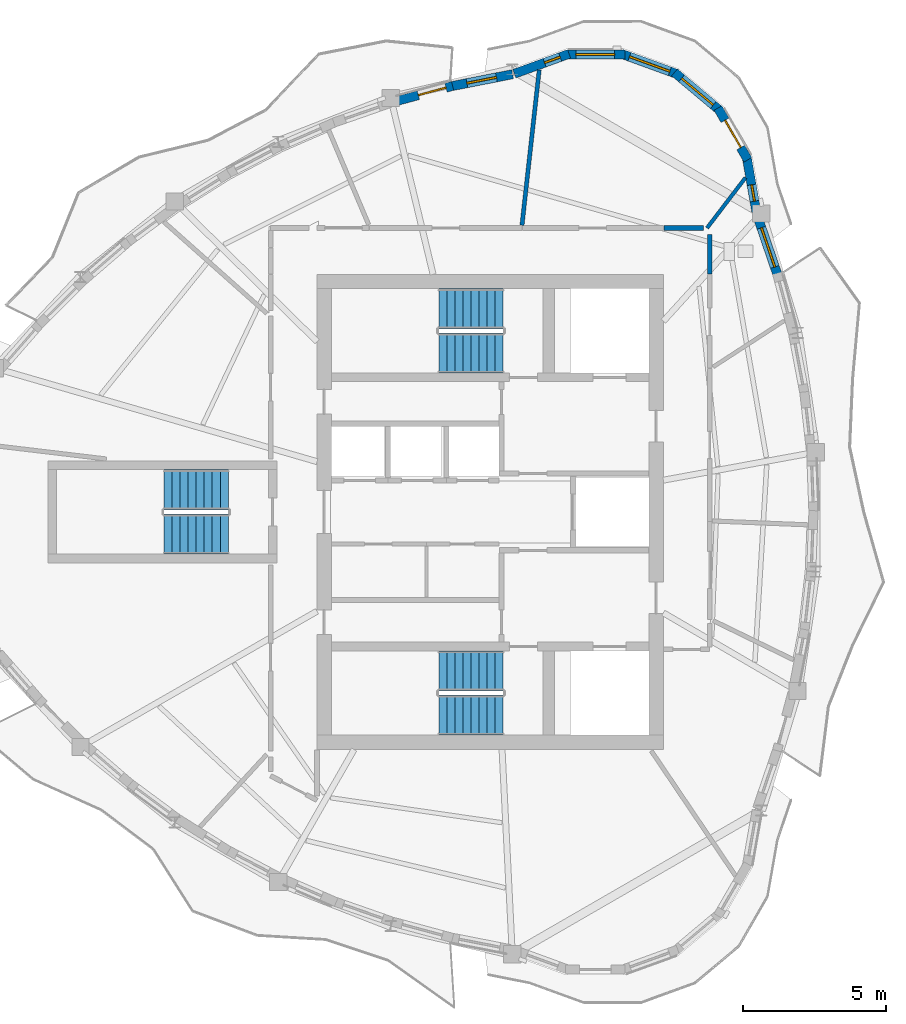
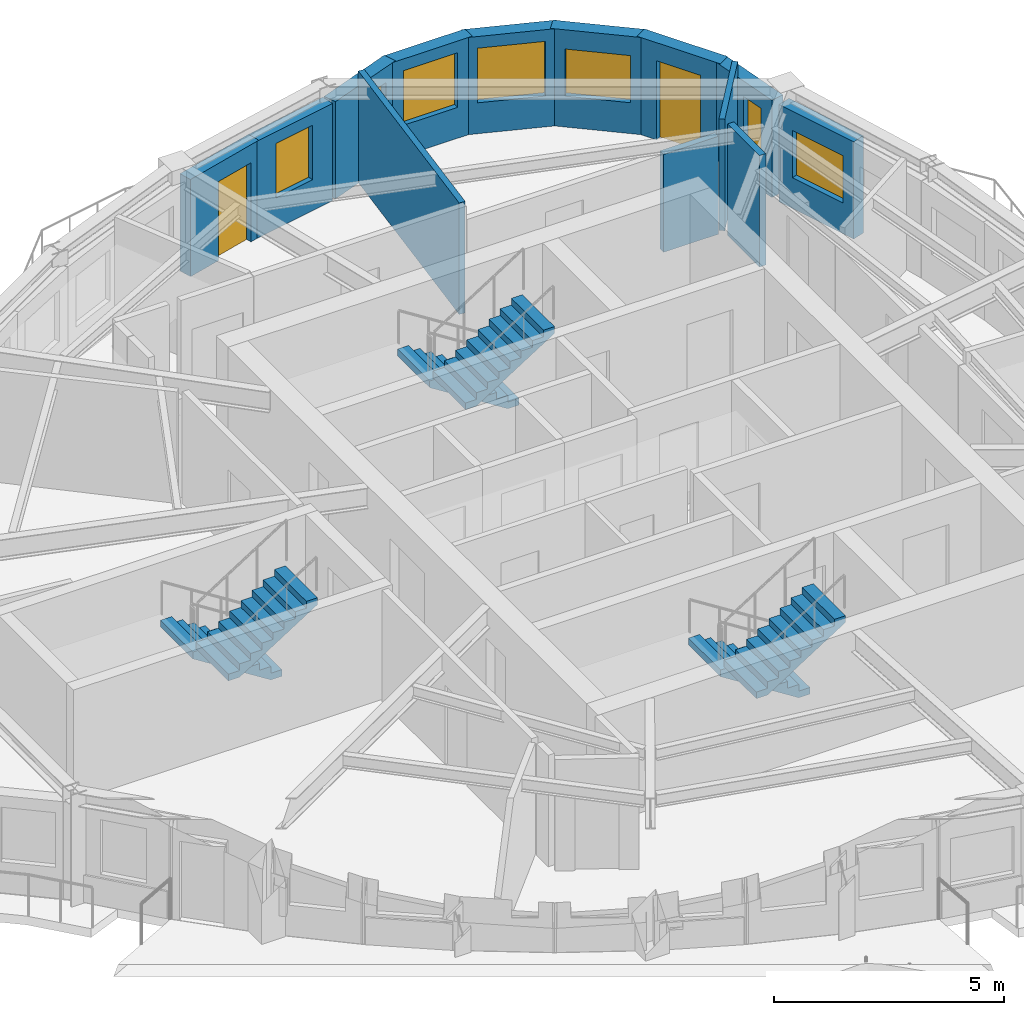
# One storey, part 7 of 12: 13 walls, 7 windows, 6 stair flights, 2 doors, 9 openings, 3 elements without a shape of their own.
"""IFC4 building model written with IfcOpenShell, lengths in metres."""

from ifc_helpers import new_model, si_unit, direction, frame, frame_2d, origin, place, context, subcontext, project, spatial, polyline, rectangle, outline, extrude, source, transform, mapped, material, layer, layer_set, type_object, element, fill, aggregate, save


model = new_model("IFC4")

# Units and contexts
model_context = context("Model", 3, precision=1e-05, world=origin(), true_north=direction((0.0, 1.0)))
body_context = subcontext(model_context, "Body", "Model", "MODEL_VIEW")
ifc_project = project(units=[si_unit("LENGTHUNIT", "METRE"), si_unit("AREAUNIT", "SQUARE_METRE"), si_unit("VOLUMEUNIT", "CUBIC_METRE"), si_unit("PLANEANGLEUNIT", "RADIAN"), si_unit("MASSUNIT", "GRAM", prefix="KILO")], contexts=[model_context])

# Site, building, storey
site_placement = place(None, origin())
site = spatial("IfcSite", under=ifc_project, at=site_placement, CompositionType="ELEMENT")
building_placement = place(site_placement, origin())
building = spatial("IfcBuilding", under=site, at=building_placement, Name="Qafzar Sky-Pleat Residences", CompositionType="ELEMENT")
storey_placement = place(building_placement, frame((0.0, 0.0, 224.39990234375)))
storey = spatial("IfcBuildingStorey", under=building, at=storey_placement, Name="L67", CompositionType="ELEMENT", Elevation=224.39990234375)

# Walls
ifc_material_1 = material(Name="Acoustic gypsum plasterboard partition", Category="gypsum")
ifc_layer_1 = layer(ifc_material_1, 0.159912109375)
ifc_layer_set_1 = layer_set([ifc_layer_1], Name="Acoustic gypsum plasterboard partition")
wall_type_1 = type_object("IfcWallType", Name="PART-COR-160", PredefinedType="PARTITIONING", material=ifc_layer_set_1)
wall_1_placement = place(storey_placement, frame((38.02001953125, 34.31494140625, 0.0), z_axis=(0.0, 0.0, 1.0), x_axis=(0.0, 1.0, 0.0)))
element("IfcWall", 1, at=wall_1_placement, inside=storey, type_object=wall_type_1, Name="L67 Partition Wall PART-L67-PW-022", PredefinedType="PARTITIONING", context=body_context, shape_type="SweptSolid", body=[
    extrude(rectangle(XDim=1.38525390625, YDim=0.159912109375, at=frame_2d((0.692626953125, 0.0))), origin(), (0.0, 0.0, 1.0), 2.960205078125),
])
wall_2_placement = place(storey_placement, frame((36.4150390625, 35.919921875, 0.0), z_axis=(0.0, 0.0, 1.0), x_axis=(1.0, 0.0, 0.0)))
element("IfcWall", 2, at=wall_2_placement, inside=storey, type_object=wall_type_1, Name="L67 Partition Wall PART-L67-PW-023", PredefinedType="PARTITIONING", context=body_context, shape_type="SweptSolid", body=[
    extrude(rectangle(XDim=1.379150390625, YDim=0.159912109375, at=frame_2d((0.689453125, 0.0))), origin(), (0.0, 0.0, 1.0), 2.59814453125),
])
ifc_layer_2 = layer(ifc_material_1, 0.14501953125)
ifc_layer_set_2 = layer_set([ifc_layer_2], Name="Acoustic gypsum plasterboard partition")
wall_type_2 = type_object("IfcWallType", Name="PART-UNIT-145", PredefinedType="PARTITIONING", material=ifc_layer_set_2)
wall_3_placement = place(storey_placement, frame((31.461669921875, 36.015869140625, 0.0), z_axis=(0.0, 0.0, 1.0), x_axis=(0.11018132109, 0.993911503346, 0.0)))
element("IfcWall", 3, at=wall_3_placement, inside=storey, type_object=wall_type_2, Name="L67 Partition Wall PART-L67-PW-012", PredefinedType="PARTITIONING", context=body_context, shape_type="SweptSolid", body=[
    extrude(rectangle(XDim=5.4619140625, YDim=0.14501953125, at=frame_2d((2.73095703125, 0.0))), origin(), (0.0, 0.0, 1.0), 2.960205078125),
])
ifc_material_2 = material(Name="Moisture-resistant gypsum partition", Category="gypsum")
ifc_layer_3 = layer(ifc_material_2, 0.1298828125)
ifc_layer_set_3 = layer_set([ifc_layer_3], Name="Moisture-resistant gypsum partition")
wall_type_3 = type_object("IfcWallType", Name="PART-WET-130", PredefinedType="PARTITIONING", material=ifc_layer_set_3)
wall_4_placement = place(storey_placement, frame((37.926025390625, 35.919921875, 0.0), z_axis=(0.0, 0.0, 1.0), x_axis=(0.606987113509, 0.794711673523, 0.0)))
element("IfcWall", 4, at=wall_4_placement, inside=storey, type_object=wall_type_3, Name="L67 Partition Wall PART-L67-PW-020", PredefinedType="PARTITIONING", context=body_context, shape_type="SweptSolid", body=[
    extrude(rectangle(XDim=2.212158203125, YDim=0.1298828125, at=frame_2d((1.10595703125, 0.0))), origin(), (0.0, 0.0, 1.0), 2.960205078125),
])

# Wall, opening, window
ifc_material_3 = material(Name="Precast concrete C40/50 with honed Riyadh limestone", Category="concrete")
ifc_layer_4 = layer(ifc_material_3, 0.320068359375)
ifc_layer_set_4 = layer_set([ifc_layer_4], Name="Precast concrete C40/50 with honed Riyadh limestone")
wall_type_4 = type_object("IfcWallType", Name="WALL-EXT-320", PredefinedType="SOLIDWALL", material=ifc_layer_set_4)
wall_5_placement = place(storey_placement, frame((40.39697265625, 34.25732421875, 0.0), z_axis=(0.0, 0.0, 1.0), x_axis=(-0.323634249216, 0.9461822619, 0.0)))
wall_5 = element("IfcWall", 5, at=wall_5_placement, inside=storey, type_object=wall_type_4, Name="L67 Limestone Facade Wall 32", PredefinedType="SOLIDWALL", context=body_context, shape_type="SweptSolid", body=[
    extrude(rectangle(XDim=2.153076171875, YDim=0.320068359375, at=frame_2d((1.07666015625, 0.0))), origin(), (0.0, 0.0, 1.0), 2.580078125),
])
opening_1_placement = place(wall_5_placement, frame((0.31640625, 0.0, 0.820068359375)))
opening_1 = element("IfcOpeningElement", 6, at=opening_1_placement, cuts=wall_5, Name="Opening WN-15", PredefinedType="OPENING", context=body_context, shape_type="SweptSolid", body=[
    extrude(rectangle(XDim=1.449951171875, YDim=1.25, at=frame_2d((0.72509765625, 0.625))), frame((0.0, 0.169921875, 0.0), z_axis=(0.0, -1.0, 0.0), x_axis=(1.0, 0.0, 0.0)), (0.0, 0.0, 1.0), 0.340087890625),
])
ifc_material_4 = material(Name="Solar-control low-E glass in bronze aluminium frame", Category="glass")
window_type_1 = type_object("IfcWindowType", Name="WIN-15", PartitioningType="SINGLE_PANEL", PredefinedType="WINDOW", material=ifc_material_4)
shared_shape_1 = source(origin(), body_context, "Body", "SweptSolid", [
    extrude(rectangle(XDim=1.449951171875, YDim=1.25, at=frame_2d((0.72509765625, 0.625))), frame((0.0, 0.030029296875, 0.0), z_axis=(0.0, -1.0, 0.0), x_axis=(1.0, 0.0, 0.0)), (0.0, 0.0, 1.0), 0.06005859375),
])
window_1_placement = place(opening_1_placement, origin())
window_1 = element("IfcWindow", 7, at=window_1_placement, inside=storey, type_object=window_type_1, Name="L67 Punched Facade Window 32", OverallHeight=1.25, OverallWidth=1.449951171875, PartitioningType="SINGLE_PANEL", PredefinedType="WINDOW", context=body_context, shape_type="MappedRepresentation", body=[
    mapped(shared_shape_1, transform((0.0, 0.0, 0.0), x_axis=(1.0, 0.0, 0.0), y_axis=(0.0, 1.0, 0.0), z_axis=(0.0, 0.0, 1.0), scale=1.0)),
])
fill(opening_1, window_1)

wall_6_placement = place(storey_placement, frame((39.6494140625, 36.4921875, 0.0), z_axis=(0.0, 0.0, 1.0), x_axis=(-0.173693060482, 0.984799837906, 0.0)))
wall_6 = element("IfcWall", 8, at=wall_6_placement, inside=storey, type_object=wall_type_4, Name="L67 Limestone Facade Wall 33", PredefinedType="SOLIDWALL", context=body_context, shape_type="SweptSolid", body=[
    extrude(rectangle(XDim=1.962158203125, YDim=0.320068359375, at=frame_2d((0.98095703125, 0.0))), origin(), (0.0, 0.0, 1.0), 2.580078125),
])
opening_2_placement = place(wall_6_placement, frame((0.37060546875, 0.0, 0.820068359375)))
opening_2 = element("IfcOpeningElement", 9, at=opening_2_placement, cuts=wall_6, Name="Opening WN-17", PredefinedType="OPENING", context=body_context, shape_type="SweptSolid", body=[
    extrude(rectangle(XDim=0.580078125, YDim=1.35009765625, at=frame_2d((0.2900390625, 0.675048828125))), frame((0.0, 0.169921875, 0.0), z_axis=(0.0, -1.0, 0.0), x_axis=(1.0, 0.0, 0.0)), (0.0, 0.0, 1.0), 0.340087890625),
])
window_type_2 = type_object("IfcWindowType", Name="WIN-17", PartitioningType="SINGLE_PANEL", PredefinedType="WINDOW", material=ifc_material_4)
shared_shape_2 = source(origin(), body_context, "Body", "SweptSolid", [
    extrude(rectangle(XDim=0.580078125, YDim=1.35009765625, at=frame_2d((0.2900390625, 0.675048828125))), frame((0.0, 0.030029296875, 0.0), z_axis=(0.0, -1.0, 0.0), x_axis=(1.0, 0.0, 0.0)), (0.0, 0.0, 1.0), 0.06005859375),
])
window_2_placement = place(opening_2_placement, origin())
window_2 = element("IfcWindow", 10, at=window_2_placement, inside=storey, type_object=window_type_2, Name="L67 Punched Facade Window 33", OverallHeight=1.35009765625, OverallWidth=0.580078125, PartitioningType="SINGLE_PANEL", PredefinedType="WINDOW", context=body_context, shape_type="MappedRepresentation", body=[
    mapped(shared_shape_2, transform((0.0, 0.0, 0.0), x_axis=(1.0, 0.0, 0.0), y_axis=(0.0, 1.0, 0.0), z_axis=(0.0, 0.0, 1.0), scale=1.0)),
])
fill(opening_2, window_2)

# Wall, opening, door
wall_7_placement = place(storey_placement, frame((39.35302734375, 38.302001953125, 0.0), z_axis=(0.0, 0.0, 1.0), x_axis=(-0.49990781971, 0.866078617559, 0.0)))
wall_7 = element("IfcWall", 11, at=wall_7_placement, inside=storey, type_object=wall_type_4, Name="L67 Limestone Facade Wall 34", PredefinedType="SOLIDWALL", context=body_context, shape_type="SweptSolid", body=[
    extrude(rectangle(XDim=2.09033203125, YDim=0.320068359375, at=frame_2d((1.045166015625, 0.0))), origin(), (0.0, 0.0, 1.0), 2.580078125),
])
opening_3_placement = place(wall_7_placement, frame((0.4951171875, 0.0, 0.0)))
opening_3 = element("IfcOpeningElement", 12, at=opening_3_placement, cuts=wall_7, Name="Opening ED-06", PredefinedType="OPENING", context=body_context, shape_type="SweptSolid", body=[
    extrude(rectangle(XDim=1.10009765625, YDim=2.10009765625, at=frame_2d((0.550048828125, 1.050048828125))), frame((0.0, 0.169921875, 0.0), z_axis=(0.0, -1.0, 0.0), x_axis=(1.0, 0.0, 0.0)), (0.0, 0.0, 1.0), 0.340087890625),
])
ifc_material_5 = material(Name="Glazed bronze aluminium door", Category="aluminium")
door_type_1 = type_object("IfcDoorType", Name="DR-BAL-1100", OperationType="NOTDEFINED", PredefinedType="DOOR", material=ifc_material_5)
shared_shape_3 = source(origin(), body_context, "Body", "SweptSolid", [
    extrude(rectangle(XDim=1.10009765625, YDim=2.10009765625, at=frame_2d((0.550048828125, 1.050048828125))), frame((0.0, 0.02490234375, 0.0), z_axis=(0.0, -1.0, 0.0), x_axis=(1.0, 0.0, 0.0)), (0.0, 0.0, 1.0), 0.050048828125),
])
door_1_placement = place(opening_3_placement, origin())
door_1 = element("IfcDoor", 13, at=door_1_placement, inside=storey, type_object=door_type_1, Name="L67 Terrace Glazed Door 2", OperationType="SINGLE_SWING_RIGHT", OverallHeight=2.10009765625, OverallWidth=1.10009765625, PredefinedType="DOOR", context=body_context, shape_type="MappedRepresentation", body=[
    mapped(shared_shape_3, transform((0.0, 0.0, 0.0), x_axis=(1.0, 0.0, 0.0), y_axis=(0.0, 1.0, 0.0), z_axis=(0.0, 0.0, 1.0), scale=1.0)),
])
fill(opening_3, door_1)

# Wall, opening, window
wall_8_placement = place(storey_placement, frame((38.391845703125, 40.012451171875, 0.0), z_axis=(0.0, 0.0, 1.0), x_axis=(-0.766024572719, 0.642811289563, 0.0)))
wall_8 = element("IfcWall", 14, at=wall_8_placement, inside=storey, type_object=wall_type_4, Name="L67 Limestone Facade Wall 35", PredefinedType="SOLIDWALL", context=body_context, shape_type="SweptSolid", body=[
    extrude(rectangle(XDim=2.09033203125, YDim=0.320068359375, at=frame_2d((1.045166015625, 0.0))), origin(), (0.0, 0.0, 1.0), 2.580078125),
])
opening_4_placement = place(wall_8_placement, frame((0.3203125, 0.0, 0.820068359375)))
opening_4 = element("IfcOpeningElement", 15, at=opening_4_placement, cuts=wall_8, Name="Opening WN-15", PredefinedType="OPENING", context=body_context, shape_type="SweptSolid", body=[
    extrude(rectangle(XDim=1.449951171875, YDim=1.25, at=frame_2d((0.72509765625, 0.625))), frame((0.0, 0.169921875, 0.0), z_axis=(0.0, -1.0, 0.0), x_axis=(1.0, 0.0, 0.0)), (0.0, 0.0, 1.0), 0.340087890625),
])
window_3_placement = place(opening_4_placement, origin())
window_3 = element("IfcWindow", 16, at=window_3_placement, inside=storey, type_object=window_type_1, Name="L67 Punched Facade Window 35", OverallHeight=1.25, OverallWidth=1.449951171875, PartitioningType="SINGLE_PANEL", PredefinedType="WINDOW", context=body_context, shape_type="MappedRepresentation", body=[
    mapped(shared_shape_1, transform((0.0, 0.0, 0.0), x_axis=(1.0, 0.0, 0.0), y_axis=(0.0, 1.0, 0.0), z_axis=(0.0, 0.0, 1.0), scale=1.0)),
])
fill(opening_4, window_3)

wall_9_placement = place(storey_placement, frame((36.903564453125, 41.291015625, 0.0), z_axis=(0.0, 0.0, 1.0), x_axis=(-0.939711556618, 0.341968113072, 0.0)))
wall_9 = element("IfcWall", 17, at=wall_9_placement, inside=storey, type_object=wall_type_4, Name="L67 Limestone Facade Wall 36", PredefinedType="SOLIDWALL", context=body_context, shape_type="SweptSolid", body=[
    extrude(rectangle(XDim=2.09033203125, YDim=0.320068359375, at=frame_2d((1.045166015625, 0.0))), origin(), (0.0, 0.0, 1.0), 2.580078125),
])
opening_5_placement = place(wall_9_placement, frame((0.295166015625, 0.0, 0.820068359375)))
opening_5 = element("IfcOpeningElement", 18, at=opening_5_placement, cuts=wall_9, Name="Opening WN-03", PredefinedType="OPENING", context=body_context, shape_type="SweptSolid", body=[
    extrude(rectangle(XDim=1.5, YDim=1.449951171875, at=frame_2d((0.75, 0.72509765625))), frame((0.0, 0.169921875, 0.0), z_axis=(0.0, -1.0, 0.0), x_axis=(1.0, 0.0, 0.0)), (0.0, 0.0, 1.0), 0.340087890625),
])
window_type_3 = type_object("IfcWindowType", Name="WIN-03", PartitioningType="DOUBLE_PANEL_VERTICAL", PredefinedType="WINDOW", material=ifc_material_4)
shared_shape_4 = source(origin(), body_context, "Body", "SweptSolid", [
    extrude(rectangle(XDim=1.5, YDim=1.449951171875, at=frame_2d((0.75, 0.72509765625))), frame((0.0, 0.030029296875, 0.0), z_axis=(0.0, -1.0, 0.0), x_axis=(1.0, 0.0, 0.0)), (0.0, 0.0, 1.0), 0.06005859375),
])
window_4_placement = place(opening_5_placement, origin())
window_4 = element("IfcWindow", 19, at=window_4_placement, inside=storey, type_object=window_type_3, Name="L67 Punched Facade Window 36", OverallHeight=1.449951171875, OverallWidth=1.5, PartitioningType="SINGLE_PANEL", PredefinedType="WINDOW", context=body_context, shape_type="MappedRepresentation", body=[
    mapped(shared_shape_4, transform((0.0, 0.0, 0.0), x_axis=(1.0, 0.0, 0.0), y_axis=(0.0, 1.0, 0.0), z_axis=(0.0, 0.0, 1.0), scale=1.0)),
])
fill(opening_5, window_4)

wall_10_placement = place(storey_placement, frame((35.067626953125, 41.983154296875, 0.0), z_axis=(0.0, 0.0, 1.0), x_axis=(-1.0, 0.0, 0.0)))
wall_10 = element("IfcWall", 20, at=wall_10_placement, inside=storey, type_object=wall_type_4, Name="L67 Limestone Facade Wall 37", PredefinedType="SOLIDWALL", context=body_context, shape_type="SweptSolid", body=[
    extrude(rectangle(XDim=2.09033203125, YDim=0.320068359375, at=frame_2d((1.045166015625, 0.0))), origin(), (0.0, 0.0, 1.0), 2.580078125),
])
opening_6_placement = place(wall_10_placement, frame((0.3701171875, 0.0, 0.820068359375)))
opening_6 = element("IfcOpeningElement", 21, at=opening_6_placement, cuts=wall_10, Name="Opening WN-04", PredefinedType="OPENING", context=body_context, shape_type="SweptSolid", body=[
    extrude(rectangle(XDim=1.35009765625, YDim=1.449951171875, at=frame_2d((0.675048828125, 0.72509765625))), frame((0.0, 0.169921875, 0.0), z_axis=(0.0, -1.0, 0.0), x_axis=(1.0, 0.0, 0.0)), (0.0, 0.0, 1.0), 0.340087890625),
])
window_type_4 = type_object("IfcWindowType", Name="WIN-04", PartitioningType="SINGLE_PANEL", PredefinedType="WINDOW", material=ifc_material_4)
shared_shape_5 = source(origin(), body_context, "Body", "SweptSolid", [
    extrude(rectangle(XDim=1.35009765625, YDim=1.449951171875, at=frame_2d((0.675048828125, 0.72509765625))), frame((0.0, 0.030029296875, 0.0), z_axis=(0.0, -1.0, 0.0), x_axis=(1.0, 0.0, 0.0)), (0.0, 0.0, 1.0), 0.06005859375),
])
window_5_placement = place(opening_6_placement, origin())
window_5 = element("IfcWindow", 22, at=window_5_placement, inside=storey, type_object=window_type_4, Name="L67 Punched Facade Window 37", OverallHeight=1.449951171875, OverallWidth=1.35009765625, PartitioningType="SINGLE_PANEL", PredefinedType="WINDOW", context=body_context, shape_type="MappedRepresentation", body=[
    mapped(shared_shape_5, transform((0.0, 0.0, 0.0), x_axis=(1.0, 0.0, 0.0), y_axis=(0.0, 1.0, 0.0), z_axis=(0.0, 0.0, 1.0), scale=1.0)),
])
fill(opening_6, window_5)

wall_11_placement = place(storey_placement, frame((33.105712890625, 42.005859375, 0.0), z_axis=(0.0, 0.0, 1.0), x_axis=(-0.939691662178, -0.342022777067, 0.0)))
wall_11 = element("IfcWall", 23, at=wall_11_placement, inside=storey, type_object=wall_type_4, Name="L67 Limestone Facade Wall 38", PredefinedType="SOLIDWALL", context=body_context, shape_type="SweptSolid", body=[
    extrude(rectangle(XDim=2.0322265625, YDim=0.320068359375, at=frame_2d((1.01611328125, 0.0))), origin(), (0.0, 0.0, 1.0), 2.580078125),
])
opening_7_placement = place(wall_11_placement, frame((0.330322265625, 0.0, 0.820068359375)))
opening_7 = element("IfcOpeningElement", 24, at=opening_7_placement, cuts=wall_11, Name="Opening WN-17", PredefinedType="OPENING", context=body_context, shape_type="SweptSolid", body=[
    extrude(rectangle(XDim=0.580078125, YDim=1.35009765625, at=frame_2d((0.2900390625, 0.675048828125))), frame((0.0, 0.169921875, 0.0), z_axis=(0.0, -1.0, 0.0), x_axis=(1.0, 0.0, 0.0)), (0.0, 0.0, 1.0), 0.340087890625),
])
window_6_placement = place(opening_7_placement, origin())
window_6 = element("IfcWindow", 25, at=window_6_placement, inside=storey, type_object=window_type_2, Name="L67 Punched Facade Window 38", OverallHeight=1.35009765625, OverallWidth=0.580078125, PartitioningType="SINGLE_PANEL", PredefinedType="WINDOW", context=body_context, shape_type="MappedRepresentation", body=[
    mapped(shared_shape_2, transform((0.0, 0.0, 0.0), x_axis=(1.0, 0.0, 0.0), y_axis=(0.0, 1.0, 0.0), z_axis=(0.0, 0.0, 1.0), scale=1.0)),
])
fill(opening_7, window_6)

wall_12_placement = place(storey_placement, frame((31.1337890625, 41.293212890625, 0.0), z_axis=(0.0, 0.0, 1.0), x_axis=(-0.981246594798, -0.19275663464, 0.0)))
wall_12 = element("IfcWall", 26, at=wall_12_placement, inside=storey, type_object=wall_type_4, Name="L67 Limestone Facade Wall 39", PredefinedType="SOLIDWALL", context=body_context, shape_type="SweptSolid", body=[
    extrude(rectangle(XDim=2.222900390625, YDim=0.320068359375, at=frame_2d((1.111328125, 0.0))), origin(), (0.0, 0.0, 1.0), 2.580078125),
])
opening_8_placement = place(wall_12_placement, frame((0.576416015625, 0.0, 0.820068359375)))
opening_8 = element("IfcOpeningElement", 27, at=opening_8_placement, cuts=wall_12, Name="Opening WN-06", PredefinedType="OPENING", context=body_context, shape_type="SweptSolid", body=[
    extrude(rectangle(XDim=1.050048828125, YDim=1.449951171875, at=frame_2d((0.52490234375, 0.72509765625))), frame((0.0, 0.169921875, 0.0), z_axis=(0.0, -1.0, 0.0), x_axis=(1.0, 0.0, 0.0)), (0.0, 0.0, 1.0), 0.340087890625),
])
window_type_5 = type_object("IfcWindowType", Name="WIN-06", PartitioningType="SINGLE_PANEL", PredefinedType="WINDOW", material=ifc_material_4)
shared_shape_6 = source(origin(), body_context, "Body", "SweptSolid", [
    extrude(rectangle(XDim=1.050048828125, YDim=1.449951171875, at=frame_2d((0.52490234375, 0.72509765625))), frame((0.0, 0.030029296875, 0.0), z_axis=(0.0, -1.0, 0.0), x_axis=(1.0, 0.0, 0.0)), (0.0, 0.0, 1.0), 0.06005859375),
])
window_7_placement = place(opening_8_placement, origin())
window_7 = element("IfcWindow", 28, at=window_7_placement, inside=storey, type_object=window_type_5, Name="L67 Punched Facade Window 39", OverallHeight=1.449951171875, OverallWidth=1.050048828125, PartitioningType="SINGLE_PANEL", PredefinedType="WINDOW", context=body_context, shape_type="MappedRepresentation", body=[
    mapped(shared_shape_6, transform((0.0, 0.0, 0.0), x_axis=(1.0, 0.0, 0.0), y_axis=(0.0, 1.0, 0.0), z_axis=(0.0, 0.0, 1.0), scale=1.0)),
])
fill(opening_8, window_7)

# Wall, opening, door
wall_13_placement = place(storey_placement, frame((29.037353515625, 40.884521484375, 0.0), z_axis=(0.0, 0.0, 1.0), x_axis=(-0.965439872052, -0.260625887918, 0.0)))
wall_13 = element("IfcWall", 29, at=wall_13_placement, inside=storey, type_object=wall_type_4, Name="L67 Limestone Facade Wall 40", PredefinedType="SOLIDWALL", context=body_context, shape_type="SweptSolid", body=[
    extrude(rectangle(XDim=2.106689453125, YDim=0.320068359375, at=frame_2d((1.05322265625, 0.0))), origin(), (0.0, 0.0, 1.0), 2.580078125),
])
opening_9_placement = place(wall_13_placement, frame((0.239990234375, 0.0, 0.0)))
opening_9 = element("IfcOpeningElement", 30, at=opening_9_placement, cuts=wall_13, Name="Opening ED-05", PredefinedType="OPENING", context=body_context, shape_type="SweptSolid", body=[
    extrude(rectangle(XDim=1.0, YDim=2.10009765625, at=frame_2d((0.5, 1.050048828125))), frame((0.0, 0.169921875, 0.0), z_axis=(0.0, -1.0, 0.0), x_axis=(1.0, 0.0, 0.0)), (0.0, 0.0, 1.0), 0.340087890625),
])
door_type_2 = type_object("IfcDoorType", Name="DR-BAL-1000", OperationType="NOTDEFINED", PredefinedType="DOOR", material=ifc_material_5)
shared_shape_7 = source(origin(), body_context, "Body", "SweptSolid", [
    extrude(rectangle(XDim=1.0, YDim=2.10009765625, at=frame_2d((0.5, 1.050048828125))), frame((0.0, 0.02490234375, 0.0), z_axis=(0.0, -1.0, 0.0), x_axis=(1.0, 0.0, 0.0)), (0.0, 0.0, 1.0), 0.050048828125),
])
door_2_placement = place(opening_9_placement, origin())
door_2 = element("IfcDoor", 31, at=door_2_placement, inside=storey, type_object=door_type_2, Name="L67 Glazed Balcony Door 2", OperationType="SINGLE_SWING_LEFT", OverallHeight=2.10009765625, OverallWidth=1.0, PredefinedType="DOOR", context=body_context, shape_type="MappedRepresentation", body=[
    mapped(shared_shape_7, transform((0.0, 0.0, 0.0), x_axis=(1.0, 0.0, 0.0), y_axis=(0.0, 1.0, 0.0), z_axis=(0.0, 0.0, 1.0), scale=1.0)),
])
fill(opening_9, door_2)

# Stair, stair flights
ifc_material_6 = material(Name="Concrete C40/50", Category="concrete")
stair_type = type_object("IfcStairType", Name="STAIR-H320", PredefinedType="HALF_TURN_STAIR", material=ifc_material_6)
stair_1_placement = place(storey_placement, origin())
stair_1 = element("IfcStair", 32, at=stair_1_placement, inside=storey, type_object=stair_type, Name="L67 Protected Exit Stair ST1", PredefinedType="HALF_TURN_STAIR")
stair_flight_type = type_object("IfcStairFlightType", Name="FLIGHT-H320", PredefinedType="STRAIGHT", material=ifc_material_6)
shared_shape_8 = source(origin(), body_context, "Body", "SweptSolid", [
    extrude(outline(polyline([(0.0, 0.0), (0.0, 0.177734375), (0.280029296875, 0.177734375), (0.280029296875, 0.35546875), (0.56005859375, 0.35546875), (0.56005859375, 0.533447265625), (0.840087890625, 0.533447265625), (0.840087890625, 0.711181640625), (1.1201171875, 0.711181640625), (1.1201171875, 0.888916015625), (1.39990234375, 0.888916015625), (1.39990234375, 1.066650390625), (1.679931640625, 1.066650390625), (1.679931640625, 1.244384765625), (1.9599609375, 1.244384765625), (1.9599609375, 1.422119140625), (2.239990234375, 1.422119140625), (2.239990234375, 1.60009765625), (2.239990234375, 1.24462890625), (0.27978515625, 0.0), (0.0, 0.0)])), frame((0.0, 0.699951171875, 0.0), z_axis=(0.0, -1.0, 0.0), x_axis=(1.0, 0.0, 0.0)), (0.0, 0.0, 1.0), 1.39990234375),
])
stair_flight_1_placement = place(storey_placement, frame((30.800048828125, 20.449951171875, 0.0), z_axis=(0.0, 0.0, 1.0), x_axis=(-1.0, 0.0, 0.0)))
stair_flight_1 = element("IfcStairFlight", 33, at=stair_flight_1_placement, type_object=stair_flight_type, Name="ST1 flight 1", NumberOfRisers=9, NumberOfTreads=8, PredefinedType="STRAIGHT", RiserHeight=0.177777778, TreadLength=0.28, context=body_context, shape_type="MappedRepresentation", body=[
    mapped(shared_shape_8, transform((0.0, 0.0, 0.0), x_axis=(1.0, 0.0, 0.0), y_axis=(0.0, 1.0, 0.0), z_axis=(0.0, 0.0, 1.0), scale=1.0)),
])
stair_flight_2_placement = place(storey_placement, frame((28.56005859375, 18.89990234375, 1.60009765625), z_axis=(0.0, 0.0, 1.0), x_axis=(1.0, 0.0, 0.0)))
stair_flight_2 = element("IfcStairFlight", 34, at=stair_flight_2_placement, type_object=stair_flight_type, Name="ST1 flight 2", NumberOfRisers=9, NumberOfTreads=8, PredefinedType="STRAIGHT", RiserHeight=0.177777778, TreadLength=0.28, context=body_context, shape_type="MappedRepresentation", body=[
    mapped(shared_shape_8, transform((0.0, 0.0, 0.0), x_axis=(1.0, 0.0, 0.0), y_axis=(0.0, 1.0, 0.0), z_axis=(0.0, 0.0, 1.0), scale=1.0)),
])
aggregate(stair_1, [stair_flight_1, stair_flight_2])

stair_2_placement = place(storey_placement, origin())
stair_2 = element("IfcStair", 35, at=stair_2_placement, inside=storey, type_object=stair_type, Name="L67 Protected Exit Stair ST2", PredefinedType="HALF_TURN_STAIR")
stair_flight_3_placement = place(storey_placement, frame((30.800048828125, 33.10009765625, 0.0), z_axis=(0.0, 0.0, 1.0), x_axis=(-1.0, 0.0, 0.0)))
stair_flight_3 = element("IfcStairFlight", 36, at=stair_flight_3_placement, type_object=stair_flight_type, Name="ST2 flight 1", NumberOfRisers=9, NumberOfTreads=8, PredefinedType="STRAIGHT", RiserHeight=0.177777778, TreadLength=0.28, context=body_context, shape_type="MappedRepresentation", body=[
    mapped(shared_shape_8, transform((0.0, 0.0, 0.0), x_axis=(1.0, 0.0, 0.0), y_axis=(0.0, 1.0, 0.0), z_axis=(0.0, 0.0, 1.0), scale=1.0)),
])
stair_flight_4_placement = place(storey_placement, frame((28.56005859375, 31.550048828125, 1.60009765625), z_axis=(0.0, 0.0, 1.0), x_axis=(1.0, 0.0, 0.0)))
stair_flight_4 = element("IfcStairFlight", 37, at=stair_flight_4_placement, type_object=stair_flight_type, Name="ST2 flight 2", NumberOfRisers=9, NumberOfTreads=8, PredefinedType="STRAIGHT", RiserHeight=0.177777778, TreadLength=0.28, context=body_context, shape_type="MappedRepresentation", body=[
    mapped(shared_shape_8, transform((0.0, 0.0, 0.0), x_axis=(1.0, 0.0, 0.0), y_axis=(0.0, 1.0, 0.0), z_axis=(0.0, 0.0, 1.0), scale=1.0)),
])
aggregate(stair_2, [stair_flight_3, stair_flight_4])

stair_3_placement = place(storey_placement, origin())
stair_3 = element("IfcStair", 38, at=stair_3_placement, inside=storey, type_object=stair_type, Name="L67 Protected Exit Stair ST3", PredefinedType="HALF_TURN_STAIR")
stair_flight_5_placement = place(storey_placement, frame((21.199951171875, 26.77490234375, 0.0), z_axis=(0.0, 0.0, 1.0), x_axis=(-1.0, 0.0, 0.0)))
stair_flight_5 = element("IfcStairFlight", 39, at=stair_flight_5_placement, type_object=stair_flight_type, Name="ST3 flight 1", NumberOfRisers=9, NumberOfTreads=8, PredefinedType="STRAIGHT", RiserHeight=0.177777778, TreadLength=0.28, context=body_context, shape_type="MappedRepresentation", body=[
    mapped(shared_shape_8, transform((0.0, 0.0, 0.0), x_axis=(1.0, 0.0, 0.0), y_axis=(0.0, 1.0, 0.0), z_axis=(0.0, 0.0, 1.0), scale=1.0)),
])
stair_flight_6_placement = place(storey_placement, frame((18.9599609375, 25.22509765625, 1.60009765625), z_axis=(0.0, 0.0, 1.0), x_axis=(1.0, 0.0, 0.0)))
stair_flight_6 = element("IfcStairFlight", 40, at=stair_flight_6_placement, type_object=stair_flight_type, Name="ST3 flight 2", NumberOfRisers=9, NumberOfTreads=8, PredefinedType="STRAIGHT", RiserHeight=0.177777778, TreadLength=0.28, context=body_context, shape_type="MappedRepresentation", body=[
    mapped(shared_shape_8, transform((0.0, 0.0, 0.0), x_axis=(1.0, 0.0, 0.0), y_axis=(0.0, 1.0, 0.0), z_axis=(0.0, 0.0, 1.0), scale=1.0)),
])
aggregate(stair_3, [stair_flight_5, stair_flight_6])

save(model, "model.ifc")
